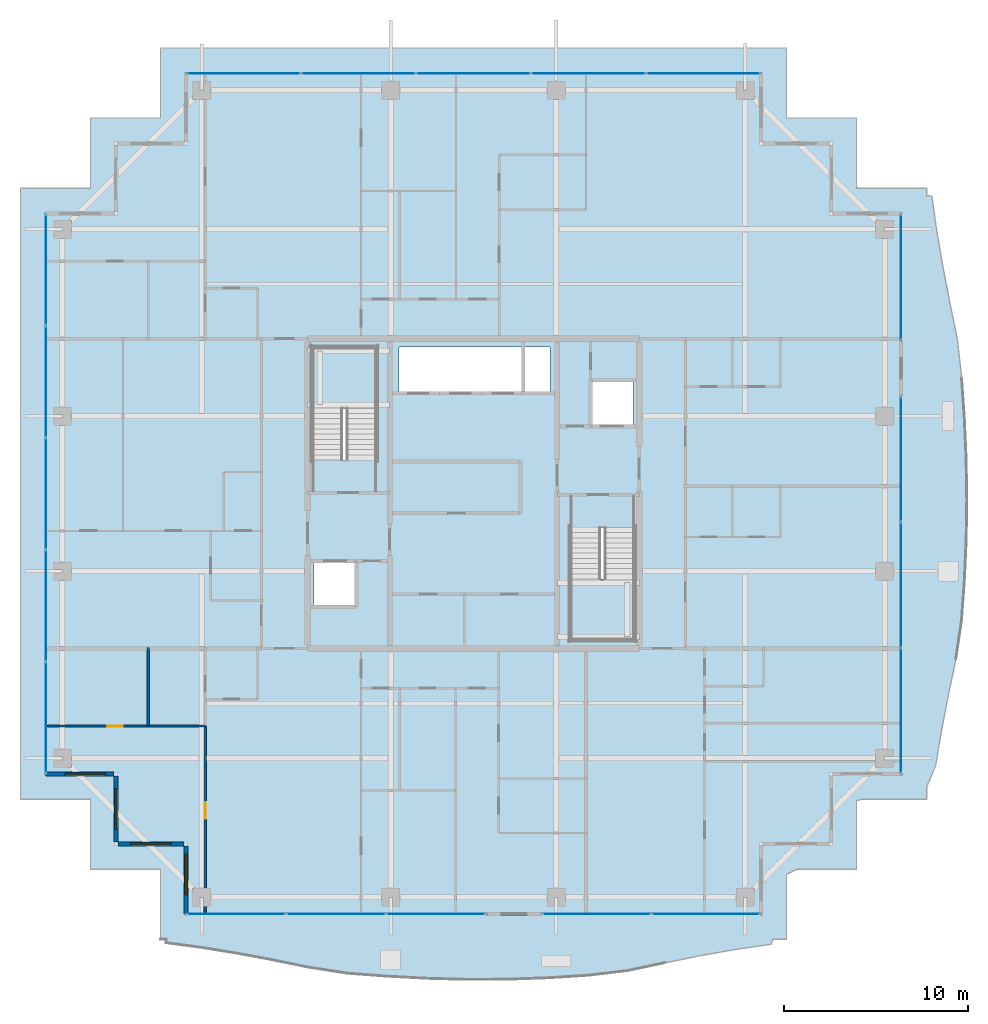
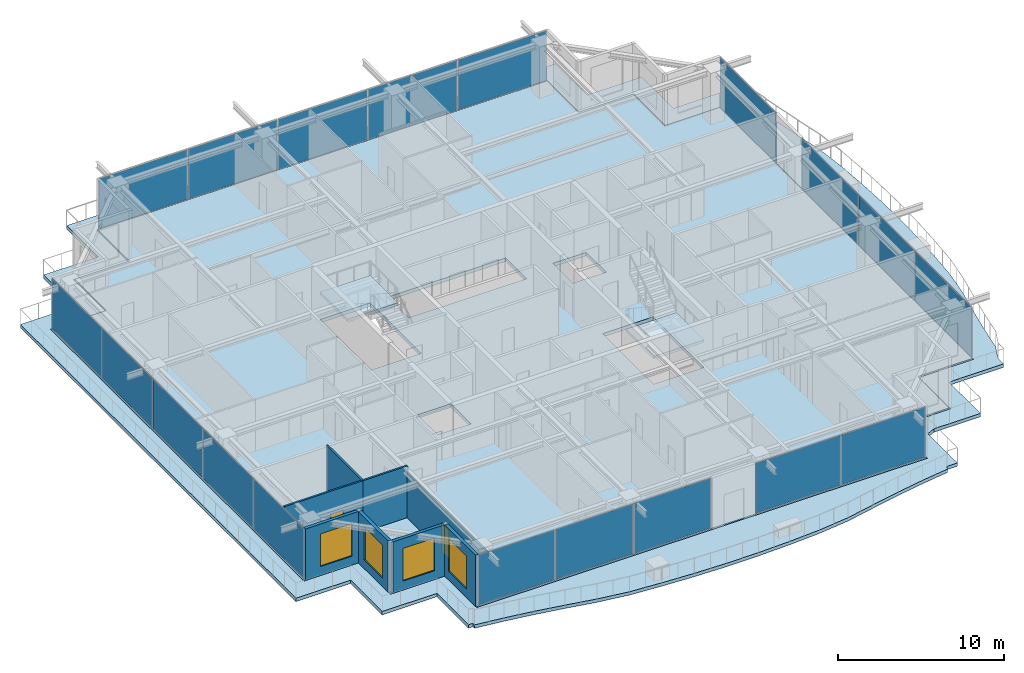
# One storey, part 30 of 42: 19 plates, 8 walls, 4 slabs, 4 windows, 2 doors, 6 openings, 8 elements without a shape of their own.
"""IFC4 building model written with IfcOpenShell, lengths in metres."""

from ifc_helpers import new_model, si_unit, direction, frame, frame_2d, origin, origin_2d, place, context, subcontext, project, spatial, polyline, rectangle, outline, extrude, source, transform, mapped, material, layer, layer_set, type_object, element, fill, aggregate, save


model = new_model("IFC4")

# Units and contexts
model_context = context("Model", 3, precision=1e-05, world=origin(), true_north=direction((0.0, 1.0)))
body_context = subcontext(model_context, "Body", "Model", "MODEL_VIEW")
ifc_project = project(units=[si_unit("LENGTHUNIT", "METRE"), si_unit("AREAUNIT", "SQUARE_METRE"), si_unit("VOLUMEUNIT", "CUBIC_METRE"), si_unit("PLANEANGLEUNIT", "RADIAN"), si_unit("MASSUNIT", "GRAM", prefix="KILO")], contexts=[model_context])

# Site, building, storey
site_placement = place(None, origin())
site = spatial("IfcSite", under=ifc_project, at=site_placement, CompositionType="ELEMENT")
building_placement = place(site_placement, origin())
building = spatial("IfcBuilding", under=site, at=building_placement, Name="Serunith Strait Residences", CompositionType="ELEMENT")
storey_placement = place(building_placement, frame((0.0, 0.0, 309.64990234375)))
storey = spatial("IfcBuildingStorey", under=building, at=storey_placement, Name="L77", CompositionType="ELEMENT", Elevation=309.64990234375)

# Slab
ifc_material_1 = material(Name="Concrete C50/60", Category="concrete")
ifc_layer_1 = layer(ifc_material_1, 0.239990234375, Name="Concrete C50/60")
ifc_layer_set_1 = layer_set([ifc_layer_1], Name="Concrete C50/60")
slab_type_1 = type_object("IfcSlabType", Name="SLB-BALC-240", PredefinedType="FLOOR", material=ifc_layer_set_1)
slab_1_placement = place(storey_placement, frame((0.0, 0.0, -0.289794921875)))
element("IfcSlab", 1, at=slab_1_placement, inside=storey, type_object=slab_type_1, Name="L77 Planted Vertical-Forest Balcony Slab", PredefinedType="FLOOR", context=body_context, shape_type="SweptSolid", body=[
    extrude(outline(polyline([(15.419921875, 1.02001953125), (15.419921875, 4.820068359375), (11.6201171875, 4.820068359375), (11.6201171875, 8.6201171875), (7.820068359375, 8.6201171875), (7.820068359375, 41.780029296875), (11.6201171875, 41.780029296875), (11.6201171875, 45.580078125), (15.407470703125, 45.580078125), (15.419921875, 45.584716796875), (15.419921875, 49.3798828125), (49.3798828125, 49.3798828125), (49.3798828125, 45.580078125), (53.179931640625, 45.580078125), (53.179931640625, 41.897705078125), (53.19775390625, 41.780029296875), (56.97998046875, 41.780029296875), (56.97998046875, 41.365966796875), (57.26611328125, 41.3486328125), (57.5361328125, 39.447509765625), (57.86328125, 37.529296875), (58.241455078125, 35.577392578125), (58.650390625, 33.572998046875), (58.889892578125, 31.4609375), (59.0390625, 29.29541015625), (59.13720703125, 27.1015625), (59.17236328125, 24.892333984375), (59.138916015625, 22.68359375), (59.03955078125, 20.4921875), (58.885498046875, 18.331298828125), (58.575927734375, 16.2490234375), (58.162841796875, 14.261962890625), (57.786865234375, 12.32421875), (57.4658203125, 10.416259765625), (56.97998046875, 9.28955078125), (56.97998046875, 8.6201171875), (53.472900390625, 8.6201171875), (53.179931640625, 8.546630859375), (53.179931640625, 4.820068359375), (49.946044921875, 4.820068359375), (49.3798828125, 4.552490234375), (49.3798828125, 1.02001953125), (48.637451171875, 1.02001953125), (48.551513671875, 0.75830078125), (46.656494140625, 0.481201171875), (44.745361328125, 0.143310546875), (42.79931640625, -0.249267578125), (40.797119140625, -0.672607421875), (38.68408203125, -0.929443359375), (36.509521484375, -1.069580078125), (34.306884765625, -1.148681640625), (32.091796875, -1.1591796875), (29.88134765625, -1.101318359375), (27.69140625, -0.98388671875), (25.533447265625, -0.82080078125), (23.4580078125, -0.49853515625), (21.472412109375, -0.09423828125), (19.53369140625, 0.269287109375), (17.623046875, 0.57763671875), (15.724609375, 0.828369140625), (15.72607421875, 1.02001953125), (15.419921875, 1.02001953125)]), holes=[polyline([(48.054931640625, 2.344970703125), (48.054931640625, 6.14501953125), (51.85498046875, 6.14501953125), (51.85498046875, 9.945068359375), (55.655029296875, 9.945068359375), (55.655029296875, 40.455078125), (51.85498046875, 40.455078125), (51.85498046875, 44.2548828125), (48.054931640625, 44.2548828125), (48.054931640625, 48.054931640625), (16.7451171875, 48.054931640625), (16.7451171875, 44.2548828125), (12.945068359375, 44.2548828125), (12.945068359375, 40.455078125), (9.14501953125, 40.455078125), (9.14501953125, 9.945068359375), (12.945068359375, 9.945068359375), (12.945068359375, 6.14501953125), (16.7451171875, 6.14501953125), (16.7451171875, 2.344970703125), (48.054931640625, 2.344970703125)])]), origin(), (0.0, 0.0, 1.0), 0.239990234375),
])

# Stair, slab
stair_type_1 = type_object("IfcStairType", Name="STR-CORE-1", PredefinedType="HALF_TURN_STAIR", material=ifc_material_1)
stair_1_placement = place(storey_placement, origin())
stair_1 = element("IfcStair", 2, at=stair_1_placement, inside=storey, type_object=stair_type_1, Name="L77 Protected Escape Stair ST-1", PredefinedType="HALF_TURN_STAIR")
ifc_layer_2 = layer(ifc_material_1, 0.199951171875, Name="Concrete C50/60")
ifc_layer_set_2 = layer_set([ifc_layer_2], Name="Concrete C50/60")
slab_type_2 = type_object("IfcSlabType", Name="SLB-LAND-200", PredefinedType="LANDING", material=ifc_layer_set_2)
slab_2_placement = place(storey_placement, frame((0.0, 0.0, 1.8251953125)))
slab_2 = element("IfcSlab", 3, at=slab_2_placement, type_object=slab_type_2, Name="ST-1 landing 1", PredefinedType="LANDING", context=body_context, shape_type="SweptSolid", body=[
    extrude(outline(polyline([(27.14990234375, 29.830078125), (27.14990234375, 33.14990234375), (23.64990234375, 33.14990234375), (23.64990234375, 29.830078125), (27.14990234375, 29.830078125)])), origin(), (0.0, 0.0, 1.0), 0.199951171875),
])
aggregate(stair_1, [slab_2])

stair_type_2 = type_object("IfcStairType", Name="STR-CORE-2", PredefinedType="HALF_TURN_STAIR", material=ifc_material_1)
stair_2_placement = place(storey_placement, origin())
stair_2 = element("IfcStair", 4, at=stair_2_placement, inside=storey, type_object=stair_type_2, Name="L77 Protected Escape Stair ST-2", PredefinedType="HALF_TURN_STAIR")
slab_3_placement = place(storey_placement, frame((0.0, 0.0, 1.8251953125)))
slab_3 = element("IfcSlab", 5, at=slab_3_placement, type_object=slab_type_2, Name="ST-2 landing 1", PredefinedType="LANDING", context=body_context, shape_type="SweptSolid", body=[
    extrude(outline(polyline([(37.64990234375, 20.570068359375), (37.64990234375, 17.25), (41.14990234375, 17.25), (41.14990234375, 20.570068359375), (37.64990234375, 20.570068359375)])), origin(), (0.0, 0.0, 1.0), 0.199951171875),
])
aggregate(stair_2, [slab_3])

# Slab
ifc_material_2 = material(Name="Concrete C60/75", Category="concrete")
ifc_layer_3 = layer(ifc_material_2, 0.260009765625, Name="Concrete C60/75")
ifc_layer_set_3 = layer_set([ifc_layer_3], Name="Concrete C60/75")
slab_type_3 = type_object("IfcSlabType", Name="SLB-TWR-290-Z4", PredefinedType="FLOOR", material=ifc_layer_set_3)
slab_4_placement = place(storey_placement, frame((0.0, 0.0, -0.260009765625)))
element("IfcSlab", 6, at=slab_4_placement, inside=storey, type_object=slab_type_3, Name="L77 Structural Floor Plate", PredefinedType="FLOOR", context=body_context, shape_type="SweptSolid", body=[
    extrude(outline(polyline([(16.800048828125, 6.199951171875), (13.0, 6.199951171875), (13.0, 10.0), (9.199951171875, 10.0), (9.199951171875, 40.39990234375), (13.0, 40.39990234375), (13.0, 44.199951171875), (16.800048828125, 44.199951171875), (16.800048828125, 48.0), (48.0, 48.0), (48.0, 44.199951171875), (51.800048828125, 44.199951171875), (51.800048828125, 40.39990234375), (55.60009765625, 40.39990234375), (55.60009765625, 10.0), (51.800048828125, 10.0), (51.800048828125, 6.199951171875), (48.0, 6.199951171875), (48.0, 2.39990234375), (16.800048828125, 2.39990234375), (16.800048828125, 6.199951171875)]), holes=[polyline([(41.14990234375, 23.3701171875), (37.64990234375, 23.3701171875), (37.64990234375, 17.25), (41.14990234375, 17.25), (41.14990234375, 23.3701171875)]), polyline([(38.75, 31.25), (38.75, 28.85009765625), (41.050048828125, 28.85009765625), (41.050048828125, 31.25), (38.75, 31.25)]), polyline([(36.550048828125, 33.14990234375), (28.35009765625, 33.14990234375), (28.35009765625, 30.64990234375), (36.550048828125, 30.64990234375), (36.550048828125, 33.14990234375)]), polyline([(23.64990234375, 33.14990234375), (23.64990234375, 27.030029296875), (27.14990234375, 27.030029296875), (27.14990234375, 33.14990234375), (23.64990234375, 33.14990234375)]), polyline([(23.75, 21.550048828125), (23.75, 19.14990234375), (26.050048828125, 19.14990234375), (26.050048828125, 21.550048828125), (23.75, 21.550048828125)])]), origin(), (0.0, 0.0, 1.0), 0.260009765625),
])

# Curtain wall, plates
ifc_material_3 = material(Name="Brushed Stainless-Silver Aluminium", Category="aluminium")
ifc_layer_4 = layer(ifc_material_3, 0.199951171875, Name="Brushed Stainless-Silver Aluminium")
ifc_layer_set_4 = layer_set([ifc_layer_4], Name="Brushed Stainless-Silver Aluminium")
curtain_wall_type = type_object("IfcCurtainWallType", Name="CW-SYS5", PredefinedType="NOTDEFINED", material=ifc_layer_set_4)
curtain_wall_1_placement = place(storey_placement, origin())
curtain_wall_1 = element("IfcCurtainWall", 7, at=curtain_wall_1_placement, inside=storey, type_object=curtain_wall_type, Name="L77 N Unitised Fritted Curtain Wall", PredefinedType="NOTDEFINED")
ifc_material_4 = material(Name="Triple-Silver Low-E Operable Glazing 34mm", Category="glass")
ifc_layer_5 = layer(ifc_material_4, 0.033935546875, Name="Triple-Silver Low-E Operable Glazing 34mm")
ifc_layer_set_5 = layer_set([ifc_layer_5], Name="Triple-Silver Low-E Operable Glazing 34mm")
plate_type = type_object("IfcPlateType", Name="CW-SYS5-PNL", PredefinedType="CURTAIN_PANEL", material=ifc_layer_set_5)
shared_shape_1 = source(origin(), body_context, "Body", "SweptSolid", [
    extrude(rectangle(XDim=6.142578125, YDim=0.033935546875, at=origin_2d()), origin(), (0.0, 0.0, 1.0), 3.655029296875),
])
plate_1_placement = place(storey_placement, frame((44.86376953125, 48.0, 0.06005859375), z_axis=(0.0, 0.0, 1.0), x_axis=(-1.0, 0.0, 0.0)))
plate_1 = element("IfcPlate", 8, at=plate_1_placement, type_object=plate_type, Name="CW-5 panel 1.1", PredefinedType="CURTAIN_PANEL", context=body_context, shape_type="MappedRepresentation", body=[
    mapped(shared_shape_1, transform((0.0, 0.0, 0.0), scale=1.0)),
])
plate_2_placement = place(storey_placement, frame((19.936279296875, 48.0, 0.06005859375), z_axis=(0.0, 0.0, 1.0), x_axis=(-1.0, 0.0, 0.0)))
plate_2 = element("IfcPlate", 9, at=plate_2_placement, type_object=plate_type, Name="CW-5 panel 5.1", PredefinedType="CURTAIN_PANEL", context=body_context, shape_type="MappedRepresentation", body=[
    mapped(shared_shape_1, transform((0.0, 0.0, 0.0), scale=1.0)),
])
shared_shape_2 = source(origin(), body_context, "Body", "SweptSolid", [
    extrude(rectangle(XDim=6.175048828125, YDim=0.033935546875, at=origin_2d()), origin(), (0.0, 0.0, 1.0), 3.655029296875),
])
plate_3_placement = place(storey_placement, frame((38.639892578125, 48.0, 0.06005859375), z_axis=(0.0, 0.0, 1.0), x_axis=(-1.0, 0.0, 0.0)))
plate_3 = element("IfcPlate", 10, at=plate_3_placement, type_object=plate_type, Name="CW-5 panel 2.1", PredefinedType="CURTAIN_PANEL", context=body_context, shape_type="MappedRepresentation", body=[
    mapped(shared_shape_2, transform((0.0, 0.0, 0.0), scale=1.0)),
])
plate_4_placement = place(storey_placement, frame((32.39990234375, 48.0, 0.06005859375), z_axis=(0.0, 0.0, 1.0), x_axis=(-1.0, 0.0, 0.0)))
plate_4 = element("IfcPlate", 11, at=plate_4_placement, type_object=plate_type, Name="CW-5 panel 3.1", PredefinedType="CURTAIN_PANEL", context=body_context, shape_type="MappedRepresentation", body=[
    mapped(shared_shape_2, transform((0.0, 0.0, 0.0), scale=1.0)),
])
plate_5_placement = place(storey_placement, frame((26.159912109375, 48.0, 0.06005859375), z_axis=(0.0, 0.0, 1.0), x_axis=(-1.0, 0.0, 0.0)))
plate_5 = element("IfcPlate", 12, at=plate_5_placement, type_object=plate_type, Name="CW-5 panel 4.1", PredefinedType="CURTAIN_PANEL", context=body_context, shape_type="MappedRepresentation", body=[
    mapped(shared_shape_2, transform((0.0, 0.0, 0.0), scale=1.0)),
])
aggregate(curtain_wall_1, [plate_1, plate_3, plate_4, plate_5, plate_2])

curtain_wall_2_placement = place(storey_placement, origin())
curtain_wall_2 = element("IfcCurtainWall", 13, at=curtain_wall_2_placement, inside=storey, type_object=curtain_wall_type, Name="L77 W Unitised Fritted Curtain Wall", PredefinedType="NOTDEFINED")
shared_shape_3 = source(origin(), body_context, "Body", "SweptSolid", [
    extrude(rectangle(XDim=5.982421875, YDim=0.033935546875, at=origin_2d()), origin(), (0.0, 0.0, 1.0), 3.655029296875),
])
plate_6_placement = place(storey_placement, frame((9.199951171875, 37.34375, 0.06005859375), z_axis=(0.0, 0.0, 1.0), x_axis=(0.0, -1.0, 0.0)))
plate_6 = element("IfcPlate", 14, at=plate_6_placement, type_object=plate_type, Name="CW-5 panel 1.1", PredefinedType="CURTAIN_PANEL", context=body_context, shape_type="MappedRepresentation", body=[
    mapped(shared_shape_3, transform((0.0, 0.0, 0.0), scale=1.0)),
])
plate_7_placement = place(storey_placement, frame((9.199951171875, 13.05615234375, 0.06005859375), z_axis=(0.0, 0.0, 1.0), x_axis=(0.0, -1.0, 0.0)))
plate_7 = element("IfcPlate", 15, at=plate_7_placement, type_object=plate_type, Name="CW-5 panel 5.1", PredefinedType="CURTAIN_PANEL", context=body_context, shape_type="MappedRepresentation", body=[
    mapped(shared_shape_3, transform((0.0, 0.0, 0.0), scale=1.0)),
])
shared_shape_4 = source(origin(), body_context, "Body", "SweptSolid", [
    extrude(rectangle(XDim=6.014892578125, YDim=0.033935546875, at=origin_2d()), origin(), (0.0, 0.0, 1.0), 3.655029296875),
])
plate_8_placement = place(storey_placement, frame((9.199951171875, 31.280029296875, 0.06005859375), z_axis=(0.0, 0.0, 1.0), x_axis=(0.0, -1.0, 0.0)))
plate_8 = element("IfcPlate", 16, at=plate_8_placement, type_object=plate_type, Name="CW-5 panel 2.1", PredefinedType="CURTAIN_PANEL", context=body_context, shape_type="MappedRepresentation", body=[
    mapped(shared_shape_4, transform((0.0, 0.0, 0.0), scale=1.0)),
])
plate_9_placement = place(storey_placement, frame((9.199951171875, 25.199951171875, 0.06005859375), z_axis=(0.0, 0.0, 1.0), x_axis=(0.0, -1.0, 0.0)))
plate_9 = element("IfcPlate", 17, at=plate_9_placement, type_object=plate_type, Name="CW-5 panel 3.1", PredefinedType="CURTAIN_PANEL", context=body_context, shape_type="MappedRepresentation", body=[
    mapped(shared_shape_4, transform((0.0, 0.0, 0.0), scale=1.0)),
])
plate_10_placement = place(storey_placement, frame((9.199951171875, 19.1201171875, 0.06005859375), z_axis=(0.0, 0.0, 1.0), x_axis=(0.0, -1.0, 0.0)))
plate_10 = element("IfcPlate", 18, at=plate_10_placement, type_object=plate_type, Name="CW-5 panel 4.1", PredefinedType="CURTAIN_PANEL", context=body_context, shape_type="MappedRepresentation", body=[
    mapped(shared_shape_4, transform((0.0, 0.0, 0.0), scale=1.0)),
])
aggregate(curtain_wall_2, [plate_6, plate_8, plate_9, plate_10, plate_7])

curtain_wall_3_placement = place(storey_placement, origin())
curtain_wall_3 = element("IfcCurtainWall", 19, at=curtain_wall_3_placement, inside=storey, type_object=curtain_wall_type, Name="L77 S Unitised Fritted Curtain Wall", PredefinedType="NOTDEFINED")
shared_shape_5 = source(origin(), body_context, "Body", "SweptSolid", [
    extrude(rectangle(XDim=5.8525390625, YDim=0.033935546875, at=origin_2d()), origin(), (0.0, 0.0, 1.0), 3.655029296875),
])
plate_11_placement = place(storey_placement, frame((39.09130859375, 2.39990234375, 0.06005859375), z_axis=(0.0, 0.0, 1.0), x_axis=(1.0, 0.0, 0.0)))
plate_11 = element("IfcPlate", 20, at=plate_11_placement, type_object=plate_type, Name="CW-5 panel 1.1", PredefinedType="CURTAIN_PANEL", context=body_context, shape_type="MappedRepresentation", body=[
    mapped(shared_shape_5, transform((0.0, 0.0, 0.0), scale=1.0)),
])
plate_12_placement = place(storey_placement, frame((45.0087890625, 2.39990234375, 0.06005859375), z_axis=(0.0, 0.0, 1.0), x_axis=(1.0, 0.0, 0.0)))
plate_12 = element("IfcPlate", 21, at=plate_12_placement, type_object=plate_type, Name="CW-5 panel 2.1", PredefinedType="CURTAIN_PANEL", context=body_context, shape_type="MappedRepresentation", body=[
    mapped(shared_shape_5, transform((0.0, 0.0, 0.0), scale=1.0)),
])
aggregate(curtain_wall_3, [plate_11, plate_12])

curtain_wall_4_placement = place(storey_placement, origin())
curtain_wall_4 = element("IfcCurtainWall", 22, at=curtain_wall_4_placement, inside=storey, type_object=curtain_wall_type, Name="L77 S Unitised Fritted Curtain Wall", PredefinedType="NOTDEFINED")
shared_shape_6 = source(origin(), body_context, "Body", "SweptSolid", [
    extrude(rectangle(XDim=5.3359375, YDim=0.033935546875, at=origin_2d()), origin(), (0.0, 0.0, 1.0), 3.655029296875),
])
plate_13_placement = place(storey_placement, frame((19.532958984375, 2.39990234375, 0.06005859375), z_axis=(0.0, 0.0, 1.0), x_axis=(1.0, 0.0, 0.0)))
plate_13 = element("IfcPlate", 23, at=plate_13_placement, type_object=plate_type, Name="CW-5 panel 1.1", PredefinedType="CURTAIN_PANEL", context=body_context, shape_type="MappedRepresentation", body=[
    mapped(shared_shape_6, transform((0.0, 0.0, 0.0), scale=1.0)),
])
plate_14_placement = place(storey_placement, frame((30.3671875, 2.39990234375, 0.06005859375), z_axis=(0.0, 0.0, 1.0), x_axis=(1.0, 0.0, 0.0)))
plate_14 = element("IfcPlate", 24, at=plate_14_placement, type_object=plate_type, Name="CW-5 panel 3.1", PredefinedType="CURTAIN_PANEL", context=body_context, shape_type="MappedRepresentation", body=[
    mapped(shared_shape_6, transform((0.0, 0.0, 0.0), scale=1.0)),
])
shared_shape_7 = source(origin(), body_context, "Body", "SweptSolid", [
    extrude(rectangle(XDim=5.368408203125, YDim=0.033935546875, at=origin_2d()), origin(), (0.0, 0.0, 1.0), 3.655029296875),
])
plate_15_placement = place(storey_placement, frame((24.949951171875, 2.39990234375, 0.06005859375), z_axis=(0.0, 0.0, 1.0), x_axis=(1.0, 0.0, 0.0)))
plate_15 = element("IfcPlate", 25, at=plate_15_placement, type_object=plate_type, Name="CW-5 panel 2.1", PredefinedType="CURTAIN_PANEL", context=body_context, shape_type="MappedRepresentation", body=[
    mapped(shared_shape_7, transform((0.0, 0.0, 0.0), scale=1.0)),
])
aggregate(curtain_wall_4, [plate_13, plate_15, plate_14])

curtain_wall_5_placement = place(storey_placement, origin())
curtain_wall_5 = element("IfcCurtainWall", 26, at=curtain_wall_5_placement, inside=storey, type_object=curtain_wall_type, Name="L77 E Unitised Fritted Curtain Wall", PredefinedType="NOTDEFINED")
shared_shape_8 = source(origin(), body_context, "Body", "SweptSolid", [
    extrude(rectangle(XDim=6.73583984375, YDim=0.033935546875, at=origin_2d()), origin(), (0.0, 0.0, 1.0), 3.655029296875),
])
plate_16_placement = place(storey_placement, frame((55.60009765625, 13.432861328125, 0.06005859375), z_axis=(0.0, 0.0, 1.0), x_axis=(0.0, 1.0, 0.0)))
plate_16 = element("IfcPlate", 27, at=plate_16_placement, type_object=plate_type, Name="CW-5 panel 1.1", PredefinedType="CURTAIN_PANEL", context=body_context, shape_type="MappedRepresentation", body=[
    mapped(shared_shape_8, transform((0.0, 0.0, 0.0), scale=1.0)),
])
plate_17_placement = place(storey_placement, frame((55.60009765625, 27.067138671875, 0.06005859375), z_axis=(0.0, 0.0, 1.0), x_axis=(0.0, 1.0, 0.0)))
plate_17 = element("IfcPlate", 28, at=plate_17_placement, type_object=plate_type, Name="CW-5 panel 3.1", PredefinedType="CURTAIN_PANEL", context=body_context, shape_type="MappedRepresentation", body=[
    mapped(shared_shape_8, transform((0.0, 0.0, 0.0), scale=1.0)),
])
shared_shape_9 = source(origin(), body_context, "Body", "SweptSolid", [
    extrude(rectangle(XDim=6.768310546875, YDim=0.033935546875, at=origin_2d()), origin(), (0.0, 0.0, 1.0), 3.655029296875),
])
plate_18_placement = place(storey_placement, frame((55.60009765625, 20.25, 0.06005859375), z_axis=(0.0, 0.0, 1.0), x_axis=(0.0, 1.0, 0.0)))
plate_18 = element("IfcPlate", 29, at=plate_18_placement, type_object=plate_type, Name="CW-5 panel 2.1", PredefinedType="CURTAIN_PANEL", context=body_context, shape_type="MappedRepresentation", body=[
    mapped(shared_shape_9, transform((0.0, 0.0, 0.0), scale=1.0)),
])
aggregate(curtain_wall_5, [plate_16, plate_18, plate_17])

# Curtain wall, plate
curtain_wall_6_placement = place(storey_placement, origin())
curtain_wall_6 = element("IfcCurtainWall", 30, at=curtain_wall_6_placement, inside=storey, type_object=curtain_wall_type, Name="L77 E Unitised Fritted Curtain Wall", PredefinedType="NOTDEFINED")
shared_shape_10 = source(origin(), body_context, "Body", "SweptSolid", [
    extrude(rectangle(XDim=6.77001953125, YDim=0.033935546875, at=origin_2d()), origin(), (0.0, 0.0, 1.0), 3.655029296875),
])
plate_19_placement = place(storey_placement, frame((55.60009765625, 36.949951171875, 0.06005859375), z_axis=(0.0, 0.0, 1.0), x_axis=(0.0, 1.0, 0.0)))
plate_19 = element("IfcPlate", 31, at=plate_19_placement, type_object=plate_type, Name="CW-5 panel 1.1", PredefinedType="CURTAIN_PANEL", context=body_context, shape_type="MappedRepresentation", body=[
    mapped(shared_shape_10, transform((0.0, 0.0, 0.0), scale=1.0)),
])
aggregate(curtain_wall_6, [plate_19])

# Wall, opening, window
ifc_material_5 = material(Name="Pale-Champagne Aluminium Insulated Panel", Category="aluminium")
ifc_layer_6 = layer(ifc_material_5, 0.219970703125, Name="Pale-Champagne Aluminium Insulated Panel")
ifc_layer_set_6 = layer_set([ifc_layer_6], Name="Pale-Champagne Aluminium Insulated Panel")
wall_type_1 = type_object("IfcWallType", Name="EW-ALUM-220", PredefinedType="ELEMENTEDWALL", material=ifc_layer_set_6)
wall_1_placement = place(storey_placement, frame((9.199951171875, 10.0, 0.0), z_axis=(0.0, 0.0, 1.0), x_axis=(1.0, 0.0, 0.0)))
wall_1 = element("IfcWall", 32, at=wall_1_placement, inside=storey, type_object=wall_type_1, Name="L77 Girih Serrated Corner Wall 17", PredefinedType="ELEMENTEDWALL", context=body_context, shape_type="SweptSolid", body=[
    extrude(rectangle(XDim=3.68994140625, YDim=0.219970703125, at=frame_2d((1.844970703125, 0.0))), origin(), (0.0, 0.0, 1.0), 3.775146484375),
])
opening_1_placement = place(wall_1_placement, frame((1.04296875, 0.0, 0.64990234375)))
opening_1 = element("IfcOpeningElement", 33, at=opening_1_placement, cuts=wall_1, Name="Opening W-06", PredefinedType="OPENING", context=body_context, shape_type="SweptSolid", body=[
    extrude(rectangle(XDim=2.199951171875, YDim=2.39990234375, at=frame_2d((1.10009765625, 1.199951171875))), frame((0.0, 0.1201171875, 0.0), z_axis=(0.0, -1.0, 0.0), x_axis=(1.0, 0.0, 0.0)), (0.0, 0.0, 1.0), 0.239990234375),
])
ifc_material_6 = material(Name="Crown Penthouse Low-E Operable Window Glass", Category="glass")
window_type = type_object("IfcWindowType", Name="WIN-C6", PartitioningType="TRIPLE_PANEL_VERTICAL", PredefinedType="WINDOW", material=ifc_material_6)
shared_shape_11 = source(origin(), body_context, "Body", "SweptSolid", [
    extrude(rectangle(XDim=2.199951171875, YDim=2.39990234375, at=frame_2d((1.10009765625, 1.199951171875))), frame((0.0, 0.030029296875, 0.0), z_axis=(0.0, -1.0, 0.0), x_axis=(1.0, 0.0, 0.0)), (0.0, 0.0, 1.0), 0.06005859375),
])
window_1_placement = place(opening_1_placement, origin())
window_1 = element("IfcWindow", 34, at=window_1_placement, inside=storey, type_object=window_type, Name="L77 Corner Operable Fritted Window 17", OverallHeight=2.39990234375, OverallWidth=2.199951171875, PartitioningType="SINGLE_PANEL", PredefinedType="WINDOW", context=body_context, shape_type="MappedRepresentation", body=[
    mapped(shared_shape_11, transform((0.0, 0.0, 0.0), scale=1.0)),
])
fill(opening_1, window_1)

wall_2_placement = place(storey_placement, frame((13.0, 9.889892578125, 0.0), z_axis=(0.0, 0.0, 1.0), x_axis=(0.0, -1.0, 0.0)))
wall_2 = element("IfcWall", 35, at=wall_2_placement, inside=storey, type_object=wall_type_1, Name="L77 Girih Serrated Corner Wall 18", PredefinedType="ELEMENTEDWALL", context=body_context, shape_type="SweptSolid", body=[
    extrude(rectangle(XDim=3.579833984375, YDim=0.219970703125, at=frame_2d((1.7900390625, 0.0))), origin(), (0.0, 0.0, 1.0), 3.775146484375),
])
opening_2_placement = place(wall_2_placement, frame((0.68994140625, 0.0, 0.64990234375)))
opening_2 = element("IfcOpeningElement", 36, at=opening_2_placement, cuts=wall_2, Name="Opening W-06", PredefinedType="OPENING", context=body_context, shape_type="SweptSolid", body=[
    extrude(rectangle(XDim=2.199951171875, YDim=2.39990234375, at=frame_2d((1.10009765625, 1.199951171875))), frame((0.0, 0.1201171875, 0.0), z_axis=(0.0, -1.0, 0.0), x_axis=(1.0, 0.0, 0.0)), (0.0, 0.0, 1.0), 0.239990234375),
])
window_2_placement = place(opening_2_placement, origin())
window_2 = element("IfcWindow", 37, at=window_2_placement, inside=storey, type_object=window_type, Name="L77 Corner Operable Fritted Window 18", OverallHeight=2.39990234375, OverallWidth=2.199951171875, PartitioningType="SINGLE_PANEL", PredefinedType="WINDOW", context=body_context, shape_type="MappedRepresentation", body=[
    mapped(shared_shape_11, transform((0.0, 0.0, 0.0), scale=1.0)),
])
fill(opening_2, window_2)

wall_3_placement = place(storey_placement, frame((13.110107421875, 6.199951171875, 0.0), z_axis=(0.0, 0.0, 1.0), x_axis=(1.0, 0.0, 0.0)))
wall_3 = element("IfcWall", 38, at=wall_3_placement, inside=storey, type_object=wall_type_1, Name="L77 Girih Serrated Corner Wall 19", PredefinedType="ELEMENTEDWALL", context=body_context, shape_type="SweptSolid", body=[
    extrude(rectangle(XDim=3.579833984375, YDim=0.219970703125, at=frame_2d((1.7900390625, 0.0))), origin(), (0.0, 0.0, 1.0), 3.775146484375),
])
opening_3_placement = place(wall_3_placement, frame((0.68994140625, 0.0, 0.64990234375)))
opening_3 = element("IfcOpeningElement", 39, at=opening_3_placement, cuts=wall_3, Name="Opening W-06", PredefinedType="OPENING", context=body_context, shape_type="SweptSolid", body=[
    extrude(rectangle(XDim=2.199951171875, YDim=2.39990234375, at=frame_2d((1.10009765625, 1.199951171875))), frame((0.0, 0.1201171875, 0.0), z_axis=(0.0, -1.0, 0.0), x_axis=(1.0, 0.0, 0.0)), (0.0, 0.0, 1.0), 0.239990234375),
])
window_3_placement = place(opening_3_placement, origin())
window_3 = element("IfcWindow", 40, at=window_3_placement, inside=storey, type_object=window_type, Name="L77 Corner Operable Fritted Window 19", OverallHeight=2.39990234375, OverallWidth=2.199951171875, PartitioningType="SINGLE_PANEL", PredefinedType="WINDOW", context=body_context, shape_type="MappedRepresentation", body=[
    mapped(shared_shape_11, transform((0.0, 0.0, 0.0), scale=1.0)),
])
fill(opening_3, window_3)

wall_4_placement = place(storey_placement, frame((16.800048828125, 6.090087890625, 0.0), z_axis=(0.0, 0.0, 1.0), x_axis=(0.0, -1.0, 0.0)))
wall_4 = element("IfcWall", 41, at=wall_4_placement, inside=storey, type_object=wall_type_1, Name="L77 Girih Serrated Corner Wall 20", PredefinedType="ELEMENTEDWALL", context=body_context, shape_type="SweptSolid", body=[
    extrude(rectangle(XDim=3.690185546875, YDim=0.219970703125, at=frame_2d((1.84521484375, 0.0))), origin(), (0.0, 0.0, 1.0), 3.775146484375),
])
opening_4_placement = place(wall_4_placement, frame((0.447021484375, 0.0, 0.64990234375)))
opening_4 = element("IfcOpeningElement", 42, at=opening_4_placement, cuts=wall_4, Name="Opening W-06", PredefinedType="OPENING", context=body_context, shape_type="SweptSolid", body=[
    extrude(rectangle(XDim=2.199951171875, YDim=2.39990234375, at=frame_2d((1.10009765625, 1.199951171875))), frame((0.0, 0.1201171875, 0.0), z_axis=(0.0, -1.0, 0.0), x_axis=(1.0, 0.0, 0.0)), (0.0, 0.0, 1.0), 0.239990234375),
])
window_4_placement = place(opening_4_placement, origin())
window_4 = element("IfcWindow", 43, at=window_4_placement, inside=storey, type_object=window_type, Name="L77 Corner Operable Fritted Window 20", OverallHeight=2.39990234375, OverallWidth=2.199951171875, PartitioningType="SINGLE_PANEL", PredefinedType="WINDOW", context=body_context, shape_type="MappedRepresentation", body=[
    mapped(shared_shape_11, transform((0.0, 0.0, 0.0), scale=1.0)),
])
fill(opening_4, window_4)

# Wall, opening, door
ifc_material_7 = material(Name="Lightweight steel-stud gypsum partition", Category="steel")
ifc_layer_7 = layer(ifc_material_7, 0.1201171875, Name="Lightweight steel-stud gypsum partition")
ifc_layer_set_7 = layer_set([ifc_layer_7], Name="Lightweight steel-stud gypsum partition")
wall_type_2 = type_object("IfcWallType", Name="IW-PART-120", PredefinedType="PARTITIONING", material=ifc_layer_set_7)
wall_5_placement = place(storey_placement, frame((17.85009765625, 2.4951171875, 0.0), z_axis=(0.0, 0.0, 1.0), x_axis=(0.0, 1.0, 0.0)))
wall_5 = element("IfcWall", 44, at=wall_5_placement, inside=storey, type_object=wall_type_2, Name="L77 Partition Wall 032", PredefinedType="PARTITIONING", context=body_context, shape_type="SweptSolid", body=[
    extrude(rectangle(XDim=10.097900390625, YDim=0.1201171875, at=frame_2d((5.048828125, 0.0))), origin(), (0.0, 0.0, 1.0), 3.2919921875),
])
opening_5_placement = place(wall_5_placement, frame((5.05908203125, 0.0, 0.0)))
opening_5 = element("IfcOpeningElement", 45, at=opening_5_placement, cuts=wall_5, Name="Opening D-RM900", PredefinedType="OPENING", context=body_context, shape_type="SweptSolid", body=[
    extrude(rectangle(XDim=0.89990234375, YDim=2.10009765625, at=frame_2d((0.449951171875, 1.050048828125))), frame((0.0, 0.070068359375, 0.0), z_axis=(0.0, -1.0, 0.0), x_axis=(1.0, 0.0, 0.0)), (0.0, 0.0, 1.0), 0.14013671875),
])
ifc_material_8 = material(Name="Engineered timber flush bedroom door", Category="wood")
door_type_1 = type_object("IfcDoorType", Name="ID-ROOM-900", OperationType="NOTDEFINED", PredefinedType="DOOR", material=ifc_material_8)
shared_shape_12 = source(origin(), body_context, "Body", "SweptSolid", [
    extrude(rectangle(XDim=0.89990234375, YDim=2.10009765625, at=frame_2d((0.449951171875, 1.050048828125))), frame((0.0, 0.02490234375, 0.0), z_axis=(0.0, -1.0, 0.0), x_axis=(1.0, 0.0, 0.0)), (0.0, 0.0, 1.0), 0.050048828125),
])
door_1_placement = place(opening_5_placement, origin())
door_1 = element("IfcDoor", 46, at=door_1_placement, inside=storey, type_object=door_type_1, Name="L77 Master Bedroom 1 7701 Door", OperationType="SINGLE_SWING_LEFT", OverallHeight=2.10009765625, OverallWidth=0.89990234375, PredefinedType="DOOR", context=body_context, shape_type="MappedRepresentation", body=[
    mapped(shared_shape_12, transform((0.0, 0.0, 0.0), scale=1.0)),
])
fill(opening_5, door_1)

wall_6_placement = place(storey_placement, frame((9.294921875, 12.593017578125, 0.0), z_axis=(0.0, 0.0, 1.0), x_axis=(1.0, 0.0, 0.0)))
wall_6 = element("IfcWall", 47, at=wall_6_placement, inside=storey, type_object=wall_type_2, Name="L77 Partition Wall 033", PredefinedType="PARTITIONING", context=body_context, shape_type="SweptSolid", body=[
    extrude(rectangle(XDim=5.455078125, YDim=0.1201171875, at=frame_2d((2.7275390625, 0.0))), origin(), (0.0, 0.0, 1.0), 3.7900390625),
])
opening_6_placement = place(wall_6_placement, frame((3.22412109375, 0.0, 0.0)))
opening_6 = element("IfcOpeningElement", 48, at=opening_6_placement, cuts=wall_6, Name="Opening D-RM850", PredefinedType="OPENING", context=body_context, shape_type="SweptSolid", body=[
    extrude(rectangle(XDim=0.85009765625, YDim=2.10009765625, at=frame_2d((0.425048828125, 1.050048828125))), frame((0.0, 0.070068359375, 0.0), z_axis=(0.0, -1.0, 0.0), x_axis=(1.0, 0.0, 0.0)), (0.0, 0.0, 1.0), 0.14013671875),
])
ifc_material_9 = material(Name="Engineered timber flush study and kitchen door", Category="wood")
door_type_2 = type_object("IfcDoorType", Name="ID-ROOM-850", OperationType="NOTDEFINED", PredefinedType="DOOR", material=ifc_material_9)
shared_shape_13 = source(origin(), body_context, "Body", "SweptSolid", [
    extrude(rectangle(XDim=0.85009765625, YDim=2.10009765625, at=frame_2d((0.425048828125, 1.050048828125))), frame((0.0, 0.02490234375, 0.0), z_axis=(0.0, -1.0, 0.0), x_axis=(1.0, 0.0, 0.0)), (0.0, 0.0, 1.0), 0.050048828125),
])
door_2_placement = place(opening_6_placement, origin())
door_2 = element("IfcDoor", 49, at=door_2_placement, inside=storey, type_object=door_type_2, Name="L77 Wardrobe 7701 Door", OperationType="SINGLE_SWING_RIGHT", OverallHeight=2.10009765625, OverallWidth=0.85009765625, PredefinedType="DOOR", context=body_context, shape_type="MappedRepresentation", body=[
    mapped(shared_shape_13, transform((0.0, 0.0, 0.0), scale=1.0)),
])
fill(opening_6, door_2)

# Walls
wall_7_placement = place(storey_placement, frame((14.751953125, 12.593017578125, 0.0), z_axis=(0.0, 0.0, 1.0), x_axis=(1.0, 0.0, 0.0)))
element("IfcWall", 50, at=wall_7_placement, inside=storey, type_object=wall_type_2, Name="L77 Partition Wall 034", PredefinedType="PARTITIONING", context=body_context, shape_type="SweptSolid", body=[
    extrude(rectangle(XDim=3.09814453125, YDim=0.1201171875, at=frame_2d((1.549072265625, 0.0))), origin(), (0.0, 0.0, 1.0), 3.7900390625),
])
wall_8_placement = place(storey_placement, frame((14.75, 12.593017578125, 0.0), z_axis=(0.0, 0.0, 1.0), x_axis=(0.0, 1.0, 0.0)))
element("IfcWall", 51, at=wall_8_placement, inside=storey, type_object=wall_type_2, Name="L77 Partition Wall 035", PredefinedType="PARTITIONING", context=body_context, shape_type="SweptSolid", body=[
    extrude(rectangle(XDim=4.26708984375, YDim=0.1201171875, at=frame_2d((2.133544921875, 0.0))), origin(), (0.0, 0.0, 1.0), 3.7900390625),
])

save(model, "model.ifc")
